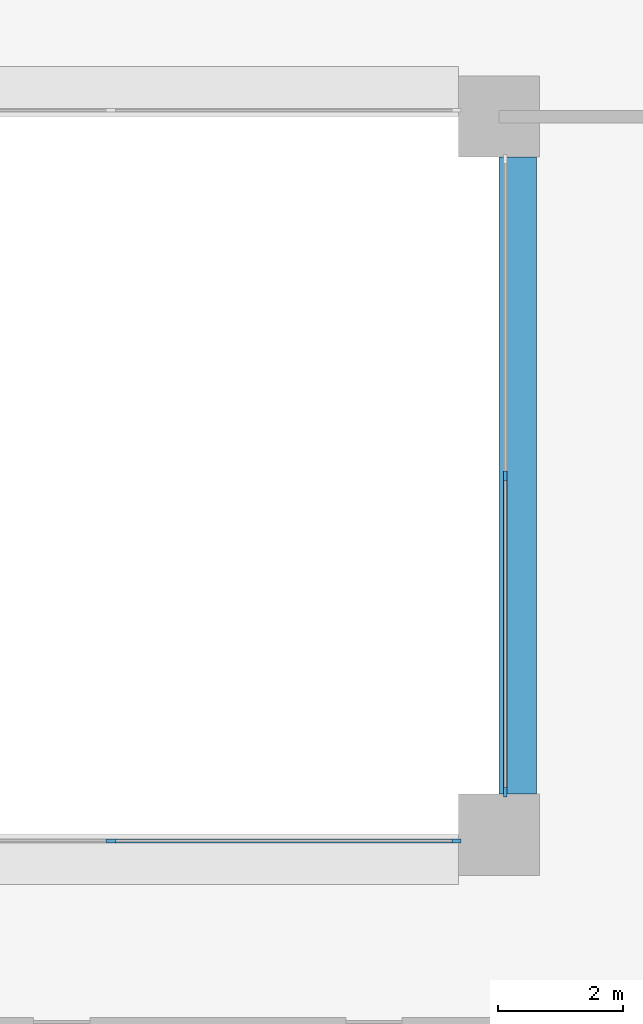
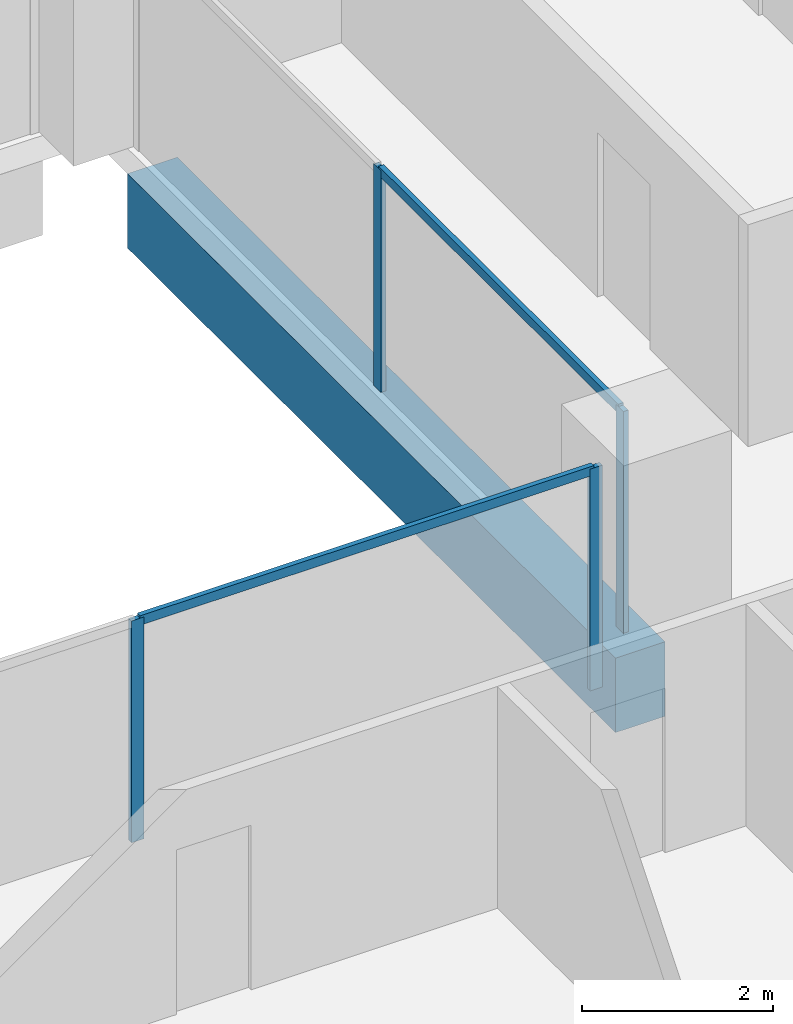
# One storey, part 4 of 16: 6 members, 1 beam, 2 elements without a shape of their own.
"""IFC4 building model written with IfcOpenShell, lengths in metres."""

from ifc_helpers import new_model, si_unit, direction, frame, origin, origin_2d, place, context, subcontext, project, spatial, rectangle, extrude, material, layer, layer_set, material_profile, profile_set, type_object, element, aggregate, save


model = new_model("IFC4")

# Units and contexts
model_context = context("Model", 3, precision=1e-05, world=origin(), true_north=direction((0.0, 1.0)))
body_context = subcontext(model_context, "Body", "Model", "MODEL_VIEW")
ifc_project = project(units=[si_unit("LENGTHUNIT", "METRE"), si_unit("AREAUNIT", "SQUARE_METRE"), si_unit("VOLUMEUNIT", "CUBIC_METRE"), si_unit("PLANEANGLEUNIT", "RADIAN"), si_unit("MASSUNIT", "GRAM", prefix="KILO")], contexts=[model_context])

# Site, building, storey
site_placement = place(None, origin())
site = spatial("IfcSite", under=ifc_project, at=site_placement, CompositionType="ELEMENT")
building_placement = place(site_placement, origin())
building = spatial("IfcBuilding", under=site, at=building_placement, Name="Brigalow Station Residences", CompositionType="ELEMENT")
storey_placement = place(building_placement, frame((0.0, 0.0, 124.5)))
storey = spatial("IfcBuildingStorey", under=building, at=storey_placement, Name="L36", CompositionType="ELEMENT", Elevation=124.5)

# Beam
ifc_material_1 = material(Name="Concrete C65", Category="concrete")
ifc_material_profile_1 = material_profile(ifc_material_1, rectangle(XDim=0.60009765625, YDim=0.949951171875, at=origin_2d()), Name="RC600x950")
ifc_profile_set_1 = profile_set([ifc_material_profile_1], Name="Concrete C65")
beam_type = type_object("IfcBeamType", Name="ATRIUM EDGE GIRDER 600x950 C65", PredefinedType="BEAM", material=ifc_profile_set_1)
beam_placement = place(storey_placement, frame((45.300048828125, 24.64990234375, -0.794921875), z_axis=(0.0, 1.0, 0.0), x_axis=(-1.0, 0.0, 0.0)))
element("IfcBeam", 1, at=beam_placement, inside=storey, type_object=beam_type, Name="ATRIUM EDGE GIRDER 5 L36", PredefinedType="BEAM", context=body_context, shape_type="SweptSolid", body=[
    extrude(rectangle(XDim=0.60009765625, YDim=0.949951171875, at=origin_2d()), origin(), (0.0, 0.0, 1.0), 10.2001953125),
])

# Curtain wall, members
ifc_material_2 = material(Name="Aluminium", Category="aluminium")
ifc_layer = layer(ifc_material_2, 0.14990234375)
ifc_layer_set = layer_set([ifc_layer], Name="ATRIUM FIRE-RATED GLAZING CURTAIN WALL")
curtain_wall_type = type_object("IfcCurtainWallType", Name="ATRIUM FIRE-RATED GLAZING CURTAIN WALL", PredefinedType="NOTDEFINED", material=ifc_layer_set)
curtain_wall_1_placement = place(storey_placement, origin())
curtain_wall_1 = element("IfcCurtainWall", 2, at=curtain_wall_1_placement, inside=storey, type_object=curtain_wall_type, Name="L36/cw/atrium-S", PredefinedType="NOTDEFINED")
ifc_material_3 = material(Name="Aluminium", Category="aluminium")
ifc_material_profile_2 = material_profile(ifc_material_3, rectangle(XDim=0.06005859375, YDim=0.14990234375, at=origin_2d()), Name="ATRIUM FIRE-RATED GLAZING MULLION 60x150")
ifc_profile_set_2 = profile_set([ifc_material_profile_2], Name="Aluminium")
member_type_1 = type_object("IfcMemberType", Name="ATRIUM FIRE-RATED GLAZING MULLION 60x150", PredefinedType="MULLION", material=ifc_profile_set_2)
member_1_placement = place(storey_placement, frame((38.783203125, 23.89990234375, 0.0), z_axis=(0.0, 0.0, 1.0), x_axis=(0.0, 1.0, 0.0)))
member_1 = element("IfcMember", 3, at=member_1_placement, type_object=member_type_1, Name="L36/cw/atrium-S/M02", PredefinedType="MULLION", context=body_context, shape_type="SweptSolid", body=[
    extrude(rectangle(XDim=0.06005859375, YDim=0.14990234375, at=origin_2d()), origin(), (0.0, 0.0, 1.0), 2.830078125),
])
member_2_placement = place(storey_placement, frame((44.320068359375, 23.89990234375, 0.0), z_axis=(0.0, 0.0, 1.0), x_axis=(0.0, 1.0, 0.0)))
member_2 = element("IfcMember", 4, at=member_2_placement, type_object=member_type_1, Name="L36/cw/atrium-S/M03", PredefinedType="MULLION", context=body_context, shape_type="SweptSolid", body=[
    extrude(rectangle(XDim=0.06005859375, YDim=0.14990234375, at=origin_2d()), origin(), (0.0, 0.0, 1.0), 2.830078125),
])

curtain_wall_2_placement = place(storey_placement, origin())
curtain_wall_2 = element("IfcCurtainWall", 5, at=curtain_wall_2_placement, inside=storey, type_object=curtain_wall_type, Name="L36/cw/atrium-E", PredefinedType="NOTDEFINED")
member_3_placement = place(storey_placement, frame((45.10009765625, 24.679931640625, 0.0), z_axis=(0.0, 0.0, 1.0), x_axis=(-1.0, 0.0, 0.0)))
member_3 = element("IfcMember", 6, at=member_3_placement, type_object=member_type_1, Name="L36/cw/atrium-E/M00", PredefinedType="MULLION", context=body_context, shape_type="SweptSolid", body=[
    extrude(rectangle(XDim=0.06005859375, YDim=0.14990234375, at=origin_2d()), origin(), (0.0, 0.0, 1.0), 2.830078125),
])
member_4_placement = place(storey_placement, frame((45.10009765625, 29.75, 0.0), z_axis=(0.0, 0.0, 1.0), x_axis=(-1.0, 0.0, 0.0)))
member_4 = element("IfcMember", 7, at=member_4_placement, type_object=member_type_1, Name="L36/cw/atrium-E/M01", PredefinedType="MULLION", context=body_context, shape_type="SweptSolid", body=[
    extrude(rectangle(XDim=0.06005859375, YDim=0.14990234375, at=origin_2d()), origin(), (0.0, 0.0, 1.0), 2.830078125),
])

# Member
ifc_material_4 = material(Name="Aluminium", Category="aluminium")
ifc_material_profile_3 = material_profile(ifc_material_4, rectangle(XDim=0.06005859375, YDim=0.1201171875, at=origin_2d()), Name="ATRIUM FIRE-RATED GLAZING TRANSOM 60x120")
ifc_profile_set_3 = profile_set([ifc_material_profile_3], Name="Aluminium")
member_type_2 = type_object("IfcMemberType", Name="ATRIUM FIRE-RATED GLAZING TRANSOM 60x120", PredefinedType="USERDEFINED", material=ifc_profile_set_3)
member_5_placement = place(storey_placement, frame((38.813232421875, 23.89990234375, 2.800048828125), z_axis=(1.0, 0.0, 0.0), x_axis=(0.0, 1.0, 0.0)))
member_5 = element("IfcMember", 8, at=member_5_placement, type_object=member_type_2, Name="L36/cw/atrium-S/T02-00", ObjectType="TRANSOM", PredefinedType="USERDEFINED", context=body_context, shape_type="SweptSolid", body=[
    extrude(rectangle(XDim=0.06005859375, YDim=0.1201171875, at=origin_2d()), origin(), (0.0, 0.0, 1.0), 5.476806640625),
])

aggregate(curtain_wall_1, [member_1, member_2, member_5])

member_6_placement = place(storey_placement, frame((45.10009765625, 24.7099609375, 2.800048828125), z_axis=(0.0, 1.0, 0.0), x_axis=(-1.0, 0.0, 0.0)))
member_6 = element("IfcMember", 9, at=member_6_placement, type_object=member_type_2, Name="L36/cw/atrium-E/T00-00", ObjectType="TRANSOM", PredefinedType="USERDEFINED", context=body_context, shape_type="SweptSolid", body=[
    extrude(rectangle(XDim=0.06005859375, YDim=0.1201171875, at=origin_2d()), origin(), (0.0, 0.0, 1.0), 5.010009765625),
])

aggregate(curtain_wall_2, [member_3, member_4, member_6])

save(model, "model.ifc")
